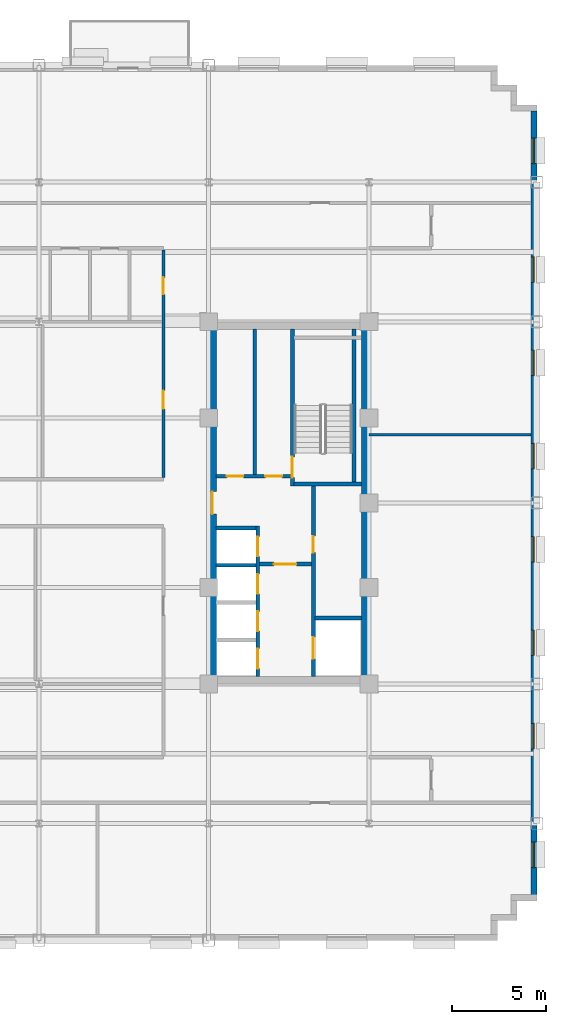
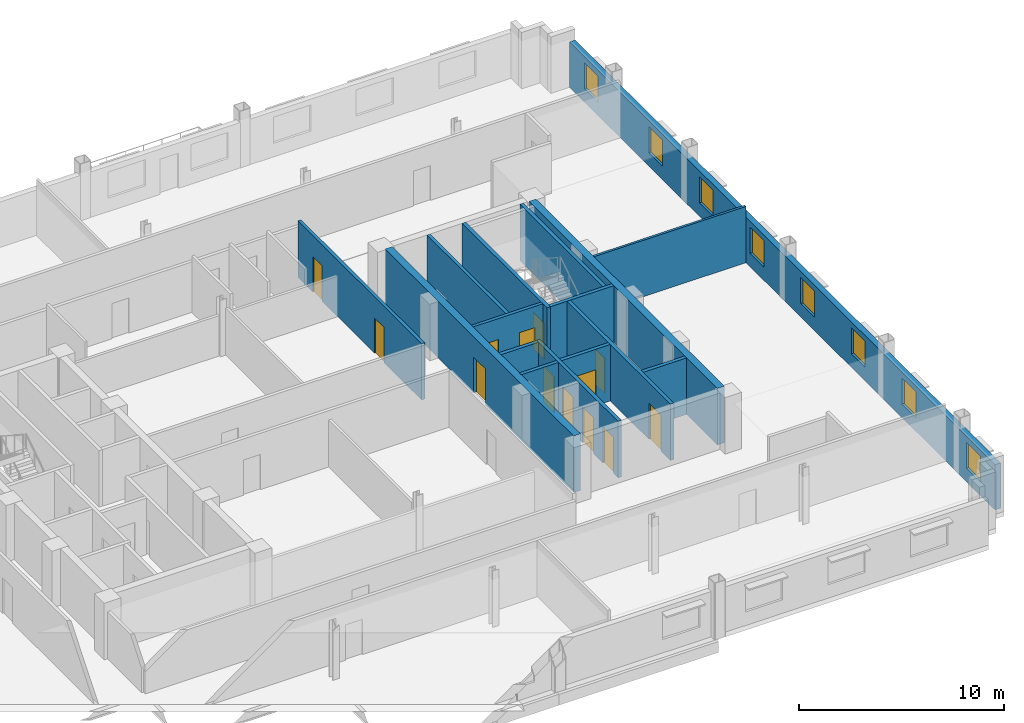
# One storey, part 8 of 14: 16 walls, 13 doors, 8 windows, 21 openings.
"""IFC4 building model written with IfcOpenShell, lengths in metres."""

from ifc_helpers import new_model, si_unit, direction, frame, frame_2d, origin, place, context, subcontext, project, spatial, rectangle, extrude, source, transform, mapped, material, layer, layer_set, type_object, type_shapes, element, fill, save


model = new_model("IFC4")

# Units and contexts
model_context = context("Model", 3, precision=1e-05, world=origin(), true_north=direction((0.0, 1.0)))
body_context = subcontext(model_context, "Body", "Model", "MODEL_VIEW")
ifc_project = project(units=[si_unit("LENGTHUNIT", "METRE"), si_unit("AREAUNIT", "SQUARE_METRE"), si_unit("VOLUMEUNIT", "CUBIC_METRE"), si_unit("PLANEANGLEUNIT", "RADIAN"), si_unit("MASSUNIT", "GRAM", prefix="KILO")], contexts=[model_context])

# Site, building, storey
site_placement = place(None, origin())
site = spatial("IfcSite", under=ifc_project, at=site_placement, CompositionType="ELEMENT")
building_placement = place(site_placement, origin())
building = spatial("IfcBuilding", under=site, at=building_placement, Name="Nuvemarco Arch Tower", CompositionType="ELEMENT")
storey_placement = place(building_placement, frame((0.0, 0.0, 145.75)))
storey = spatial("IfcBuildingStorey", under=building, at=storey_placement, Name="L38", CompositionType="ELEMENT", Elevation=145.75)

# Wall, openings, windows
ifc_material_1 = material(Name="Precast concrete C45/55", Category="concrete")
ifc_layer_1 = layer(ifc_material_1, 0.320068359375, Name="EW-MID-320")
ifc_layer_set_1 = layer_set([ifc_layer_1], Name="Precast concrete C45/55")
wall_type_1 = type_object("IfcWallType", Name="EW-MID-320", PredefinedType="STANDARD", material=ifc_layer_set_1)
wall_1_placement = place(storey_placement, frame((26.239990234375, -20.783935546875, 0.0), z_axis=(0.0, 0.0, 1.0), x_axis=(0.0, 1.0, 0.0)))
wall_1 = element("IfcWall", 1, at=wall_1_placement, inside=storey, type_object=wall_type_1, Name="L38 exterior precast facade wall 6", PredefinedType="STANDARD", context=body_context, shape_type="SweptSolid", body=[
    extrude(rectangle(XDim=41.56787109375, YDim=0.320068359375, at=frame_2d((20.783935546875, 0.0))), origin(), (0.0, 0.0, 1.0), 2.705078125),
])
opening_1_placement = place(wall_1_placement, frame((1.447998046875, 0.0, 0.800048828125)))
opening_1 = element("IfcOpeningElement", 2, at=opening_1_placement, cuts=wall_1, Name="Opening WN-6", PredefinedType="OPENING", context=body_context, shape_type="SweptSolid", body=[
    extrude(rectangle(XDim=1.35009765625, YDim=1.56005859375, at=frame_2d((0.675048828125, 0.780029296875))), frame((0.0, 0.169921875, 0.0), z_axis=(0.0, -1.0, 0.0), x_axis=(1.0, 0.0, 0.0)), (0.0, 0.0, 1.0), 0.340087890625),
])
opening_2_placement = place(wall_1_placement, frame((7.743896484375, 0.0, 0.800048828125)))
opening_2 = element("IfcOpeningElement", 3, at=opening_2_placement, cuts=wall_1, Name="Opening WN-6", PredefinedType="OPENING", context=body_context, shape_type="SweptSolid", body=[
    extrude(rectangle(XDim=1.35009765625, YDim=1.56005859375, at=frame_2d((0.675048828125, 0.780029296875))), frame((0.0, 0.169921875, 0.0), z_axis=(0.0, -1.0, 0.0), x_axis=(1.0, 0.0, 0.0)), (0.0, 0.0, 1.0), 0.340087890625),
])
opening_3_placement = place(wall_1_placement, frame((12.68994140625, 0.0, 0.800048828125)))
opening_3 = element("IfcOpeningElement", 4, at=opening_3_placement, cuts=wall_1, Name="Opening WN-6", PredefinedType="OPENING", context=body_context, shape_type="SweptSolid", body=[
    extrude(rectangle(XDim=1.35009765625, YDim=1.56005859375, at=frame_2d((0.675048828125, 0.780029296875))), frame((0.0, 0.169921875, 0.0), z_axis=(0.0, -1.0, 0.0), x_axis=(1.0, 0.0, 0.0)), (0.0, 0.0, 1.0), 0.340087890625),
])
opening_4_placement = place(wall_1_placement, frame((17.635986328125, 0.0, 0.800048828125)))
opening_4 = element("IfcOpeningElement", 5, at=opening_4_placement, cuts=wall_1, Name="Opening WN-6", PredefinedType="OPENING", context=body_context, shape_type="SweptSolid", body=[
    extrude(rectangle(XDim=1.35009765625, YDim=1.56005859375, at=frame_2d((0.675048828125, 0.780029296875))), frame((0.0, 0.169921875, 0.0), z_axis=(0.0, -1.0, 0.0), x_axis=(1.0, 0.0, 0.0)), (0.0, 0.0, 1.0), 0.340087890625),
])
opening_5_placement = place(wall_1_placement, frame((22.58203125, 0.0, 0.800048828125)))
opening_5 = element("IfcOpeningElement", 6, at=opening_5_placement, cuts=wall_1, Name="Opening WN-6", PredefinedType="OPENING", context=body_context, shape_type="SweptSolid", body=[
    extrude(rectangle(XDim=1.35009765625, YDim=1.56005859375, at=frame_2d((0.675048828125, 0.780029296875))), frame((0.0, 0.169921875, 0.0), z_axis=(0.0, -1.0, 0.0), x_axis=(1.0, 0.0, 0.0)), (0.0, 0.0, 1.0), 0.340087890625),
])
opening_6_placement = place(wall_1_placement, frame((27.528076171875, 0.0, 0.800048828125)))
opening_6 = element("IfcOpeningElement", 7, at=opening_6_placement, cuts=wall_1, Name="Opening WN-6", PredefinedType="OPENING", context=body_context, shape_type="SweptSolid", body=[
    extrude(rectangle(XDim=1.35009765625, YDim=1.56005859375, at=frame_2d((0.675048828125, 0.780029296875))), frame((0.0, 0.169921875, 0.0), z_axis=(0.0, -1.0, 0.0), x_axis=(1.0, 0.0, 0.0)), (0.0, 0.0, 1.0), 0.340087890625),
])
opening_7_placement = place(wall_1_placement, frame((32.47412109375, 0.0, 0.800048828125)))
opening_7 = element("IfcOpeningElement", 8, at=opening_7_placement, cuts=wall_1, Name="Opening WN-6", PredefinedType="OPENING", context=body_context, shape_type="SweptSolid", body=[
    extrude(rectangle(XDim=1.35009765625, YDim=1.56005859375, at=frame_2d((0.675048828125, 0.780029296875))), frame((0.0, 0.169921875, 0.0), z_axis=(0.0, -1.0, 0.0), x_axis=(1.0, 0.0, 0.0)), (0.0, 0.0, 1.0), 0.340087890625),
])
opening_8_placement = place(wall_1_placement, frame((38.77001953125, 0.0, 0.800048828125)))
opening_8 = element("IfcOpeningElement", 9, at=opening_8_placement, cuts=wall_1, Name="Opening WN-6", PredefinedType="OPENING", context=body_context, shape_type="SweptSolid", body=[
    extrude(rectangle(XDim=1.35009765625, YDim=1.56005859375, at=frame_2d((0.675048828125, 0.780029296875))), frame((0.0, 0.169921875, 0.0), z_axis=(0.0, -1.0, 0.0), x_axis=(1.0, 0.0, 0.0)), (0.0, 0.0, 1.0), 0.340087890625),
])
ifc_material_2 = material(Name="Insulated solar-control glass", Category="glass")
window_type = type_object("IfcWindowType", Name="WN-MID-1350x1560", PartitioningType="SINGLE_PANEL", PredefinedType="WINDOW", material=ifc_material_2)
shared_shape_1 = source(origin(), body_context, "Body", "SweptSolid", [
    extrude(rectangle(XDim=1.35009765625, YDim=1.56005859375, at=frame_2d((0.675048828125, 0.780029296875))), frame((0.0, 0.030029296875, 0.0), z_axis=(0.0, -1.0, 0.0), x_axis=(1.0, 0.0, 0.0)), (0.0, 0.0, 1.0), 0.06005859375),
])
type_shapes(window_type, [shared_shape_1])
window_1_placement = place(opening_1_placement, origin())
window_1 = element("IfcWindow", 10, at=window_1_placement, inside=storey, type_object=window_type, Name="L38 punched facade window 1", OverallHeight=1.56005859375, OverallWidth=1.35009765625, PartitioningType="SINGLE_PANEL", PredefinedType="WINDOW", context=body_context, shape_type="MappedRepresentation", body=[
    mapped(shared_shape_1, transform((0.0, 0.0, 0.0), scale=1.0)),
])
fill(opening_1, window_1)
window_2_placement = place(opening_2_placement, origin())
window_2 = element("IfcWindow", 11, at=window_2_placement, inside=storey, type_object=window_type, Name="L38 punched facade window 2", OverallHeight=1.56005859375, OverallWidth=1.35009765625, PartitioningType="SINGLE_PANEL", PredefinedType="WINDOW", context=body_context, shape_type="MappedRepresentation", body=[
    mapped(shared_shape_1, transform((0.0, 0.0, 0.0), scale=1.0)),
])
fill(opening_2, window_2)
window_3_placement = place(opening_3_placement, origin())
window_3 = element("IfcWindow", 12, at=window_3_placement, inside=storey, type_object=window_type, Name="L38 punched facade window 3", OverallHeight=1.56005859375, OverallWidth=1.35009765625, PartitioningType="SINGLE_PANEL", PredefinedType="WINDOW", context=body_context, shape_type="MappedRepresentation", body=[
    mapped(shared_shape_1, transform((0.0, 0.0, 0.0), scale=1.0)),
])
fill(opening_3, window_3)
window_4_placement = place(opening_4_placement, origin())
window_4 = element("IfcWindow", 13, at=window_4_placement, inside=storey, type_object=window_type, Name="L38 punched facade window 4", OverallHeight=1.56005859375, OverallWidth=1.35009765625, PartitioningType="SINGLE_PANEL", PredefinedType="WINDOW", context=body_context, shape_type="MappedRepresentation", body=[
    mapped(shared_shape_1, transform((0.0, 0.0, 0.0), scale=1.0)),
])
fill(opening_4, window_4)
window_5_placement = place(opening_5_placement, origin())
window_5 = element("IfcWindow", 14, at=window_5_placement, inside=storey, type_object=window_type, Name="L38 punched facade window 5", OverallHeight=1.56005859375, OverallWidth=1.35009765625, PartitioningType="SINGLE_PANEL", PredefinedType="WINDOW", context=body_context, shape_type="MappedRepresentation", body=[
    mapped(shared_shape_1, transform((0.0, 0.0, 0.0), scale=1.0)),
])
fill(opening_5, window_5)
window_6_placement = place(opening_6_placement, origin())
window_6 = element("IfcWindow", 15, at=window_6_placement, inside=storey, type_object=window_type, Name="L38 punched facade window 6", OverallHeight=1.56005859375, OverallWidth=1.35009765625, PartitioningType="SINGLE_PANEL", PredefinedType="WINDOW", context=body_context, shape_type="MappedRepresentation", body=[
    mapped(shared_shape_1, transform((0.0, 0.0, 0.0), scale=1.0)),
])
fill(opening_6, window_6)
window_7_placement = place(opening_7_placement, origin())
window_7 = element("IfcWindow", 16, at=window_7_placement, inside=storey, type_object=window_type, Name="L38 punched facade window 7", OverallHeight=1.56005859375, OverallWidth=1.35009765625, PartitioningType="SINGLE_PANEL", PredefinedType="WINDOW", context=body_context, shape_type="MappedRepresentation", body=[
    mapped(shared_shape_1, transform((0.0, 0.0, 0.0), scale=1.0)),
])
fill(opening_7, window_7)
window_8_placement = place(opening_8_placement, origin())
window_8 = element("IfcWindow", 17, at=window_8_placement, inside=storey, type_object=window_type, Name="L38 punched facade window 8", OverallHeight=1.56005859375, OverallWidth=1.35009765625, PartitioningType="SINGLE_PANEL", PredefinedType="WINDOW", context=body_context, shape_type="MappedRepresentation", body=[
    mapped(shared_shape_1, transform((0.0, 0.0, 0.0), scale=1.0)),
])
fill(opening_8, window_8)

# Wall, opening, door
ifc_material_3 = material(Name="Concrete C60/75", Category="concrete")
ifc_layer_2 = layer(ifc_material_3, 0.39990234375, Name="WL-CORE-400")
ifc_layer_set_2 = layer_set([ifc_layer_2], Name="Concrete C60/75")
wall_type_2 = type_object("IfcWallType", Name="WL-CORE-400", PredefinedType="SHEAR", material=ifc_layer_set_2)
wall_2_placement = place(storey_placement, frame((9.199951171875, -9.205078125, 0.0), z_axis=(0.0, 0.0, 1.0), x_axis=(0.0, 1.0, 0.0)))
wall_2 = element("IfcWall", 18, at=wall_2_placement, inside=storey, type_object=wall_type_2, Name="L38 E-core shear wall W", PredefinedType="SHEAR", context=body_context, shape_type="SweptSolid", body=[
    extrude(rectangle(XDim=18.41015625, YDim=0.39990234375, at=frame_2d((9.205078125, 0.0))), origin(), (0.0, 0.0, 1.0), 3.3701171875),
])
opening_9_placement = place(wall_2_placement, frame((8.60498046875, 0.0, 0.0)))
opening_9 = element("IfcOpeningElement", 19, at=opening_9_placement, cuts=wall_2, Name="Opening FD-2", PredefinedType="OPENING", context=body_context, shape_type="SweptSolid", body=[
    extrude(rectangle(XDim=1.199951171875, YDim=2.14990234375, at=frame_2d((0.60009765625, 1.074951171875))), frame((0.0, 0.2099609375, 0.0), z_axis=(0.0, -1.0, 0.0), x_axis=(1.0, 0.0, 0.0)), (0.0, 0.0, 1.0), 0.419921875),
])
ifc_material_4 = material(Name="Anodised steel fire door", Category="steel")
door_type_1 = type_object("IfcDoorType", Name="DR-FFLOB-FD", OperationType="NOTDEFINED", PredefinedType="DOOR", material=ifc_material_4)
shared_shape_2 = source(origin(), body_context, "Body", "SweptSolid", [
    extrude(rectangle(XDim=1.199951171875, YDim=2.14990234375, at=frame_2d((0.60009765625, 1.074951171875))), frame((0.0, 0.02490234375, 0.0), z_axis=(0.0, -1.0, 0.0), x_axis=(1.0, 0.0, 0.0)), (0.0, 0.0, 1.0), 0.050048828125),
])
type_shapes(door_type_1, [shared_shape_2])
door_1_placement = place(opening_9_placement, origin())
door_1 = element("IfcDoor", 20, at=door_1_placement, inside=storey, type_object=door_type_1, Name="L38 door FD-L38-ECORE-W", OperationType="SINGLE_SWING_RIGHT", OverallHeight=2.14990234375, OverallWidth=1.199951171875, PredefinedType="DOOR", context=body_context, shape_type="MappedRepresentation", body=[
    mapped(shared_shape_2, transform((0.0, 0.0, 0.0), scale=1.0)),
])
fill(opening_9, door_1)

# Wall
wall_3_placement = place(storey_placement, frame((17.300048828125, -9.205078125, 0.0), z_axis=(0.0, 0.0, 1.0), x_axis=(0.0, 1.0, 0.0)))
element("IfcWall", 21, at=wall_3_placement, inside=storey, type_object=wall_type_2, Name="L38 E-core shear wall E", PredefinedType="SHEAR", context=body_context, shape_type="SweptSolid", body=[
    extrude(rectangle(XDim=18.41015625, YDim=0.39990234375, at=frame_2d((9.205078125, 0.0))), origin(), (0.0, 0.0, 1.0), 3.3701171875),
])

# Wall, openings, doors
ifc_material_5 = material(Name="Fire-rated gypsum drywall partition")
ifc_layer_3 = layer(ifc_material_5, 0.179931640625, Name="WL-CORR-180")
ifc_layer_set_3 = layer_set([ifc_layer_3], Name="Fire-rated gypsum drywall partition")
wall_type_3 = type_object("IfcWallType", Name="WL-CORR-180", PredefinedType="PARTITIONING", material=ifc_layer_set_3)
wall_4_placement = place(storey_placement, frame((9.39501953125, 1.39990234375, 0.0), z_axis=(0.0, 0.0, 1.0), x_axis=(1.0, 0.0, 0.0)))
wall_4 = element("IfcWall", 22, at=wall_4_placement, inside=storey, type_object=wall_type_3, Name="L38 interior wall IW-L38-EK-S", PredefinedType="PARTITIONING", context=body_context, shape_type="SweptSolid", body=[
    extrude(rectangle(XDim=3.949951171875, YDim=0.179931640625, at=frame_2d((1.97509765625, 0.0))), origin(), (0.0, 0.0, 1.0), 3.360107421875),
])
opening_10_placement = place(wall_4_placement, frame((0.56494140625, 0.0, 0.0)))
opening_10 = element("IfcOpeningElement", 23, at=opening_10_placement, cuts=wall_4, Name="Opening FD-4", PredefinedType="OPENING", context=body_context, shape_type="SweptSolid", body=[
    extrude(rectangle(XDim=0.8798828125, YDim=2.10009765625, at=frame_2d((0.43994140625, 1.050048828125))), frame((0.0, 0.099853515625, 0.0), z_axis=(0.0, -1.0, 0.0), x_axis=(1.0, 0.0, 0.0)), (0.0, 0.0, 1.0), 0.199951171875),
])
opening_11_placement = place(wall_4_placement, frame((2.614990234375, 0.0, 0.0)))
opening_11 = element("IfcOpeningElement", 24, at=opening_11_placement, cuts=wall_4, Name="Opening FD-4", PredefinedType="OPENING", context=body_context, shape_type="SweptSolid", body=[
    extrude(rectangle(XDim=0.8798828125, YDim=2.10009765625, at=frame_2d((0.43994140625, 1.050048828125))), frame((0.0, 0.099853515625, 0.0), z_axis=(0.0, -1.0, 0.0), x_axis=(1.0, 0.0, 0.0)), (0.0, 0.0, 1.0), 0.199951171875),
])
door_type_2 = type_object("IfcDoorType", Name="DR-RISER-FD", OperationType="NOTDEFINED", PredefinedType="DOOR", material=ifc_material_4)
shared_shape_3 = source(origin(), body_context, "Body", "SweptSolid", [
    extrude(rectangle(XDim=0.8798828125, YDim=2.10009765625, at=frame_2d((0.43994140625, 1.050048828125))), frame((0.0, 0.02490234375, 0.0), z_axis=(0.0, -1.0, 0.0), x_axis=(1.0, 0.0, 0.0)), (0.0, 0.0, 1.0), 0.050048828125),
])
type_shapes(door_type_2, [shared_shape_3])
door_2_placement = place(opening_10_placement, origin())
door_2 = element("IfcDoor", 25, at=door_2_placement, inside=storey, type_object=door_type_2, Name="L38 door FD-L38-EK2A", OperationType="SINGLE_SWING_LEFT", OverallHeight=2.10009765625, OverallWidth=0.8798828125, PredefinedType="DOOR", context=body_context, shape_type="MappedRepresentation", body=[
    mapped(shared_shape_3, transform((0.0, 0.0, 0.0), scale=1.0)),
])
fill(opening_10, door_2)
door_3_placement = place(opening_11_placement, origin())
door_3 = element("IfcDoor", 26, at=door_3_placement, inside=storey, type_object=door_type_2, Name="L38 door FD-L38-EK2B", OperationType="SINGLE_SWING_RIGHT", OverallHeight=2.10009765625, OverallWidth=0.8798828125, PredefinedType="DOOR", context=body_context, shape_type="MappedRepresentation", body=[
    mapped(shared_shape_3, transform((0.0, 0.0, 0.0), scale=1.0)),
])
fill(opening_11, door_3)

# Wall
wall_5_placement = place(storey_placement, frame((11.449951171875, 1.489990234375, 0.0), z_axis=(0.0, 0.0, 1.0), x_axis=(0.0, 1.0, 0.0)))
element("IfcWall", 27, at=wall_5_placement, inside=storey, type_object=wall_type_3, Name="L38 interior wall IW-L38-EK2", PredefinedType="PARTITIONING", context=body_context, shape_type="SweptSolid", body=[
    extrude(rectangle(XDim=7.715087890625, YDim=0.179931640625, at=frame_2d((3.857421875, 0.0))), origin(), (0.0, 0.0, 1.0), 3.360107421875),
])

# Wall, openings, doors
wall_6_placement = place(storey_placement, frame((6.60009765625, 1.3359375, 0.0), z_axis=(0.0, 0.0, 1.0), x_axis=(0.0, 1.0, 0.0)))
wall_6 = element("IfcWall", 28, at=wall_6_placement, inside=storey, type_object=wall_type_3, Name="L38 interior wall IW-L38-028", PredefinedType="PARTITIONING", context=body_context, shape_type="SweptSolid", body=[
    extrude(rectangle(XDim=12.078125, YDim=0.179931640625, at=frame_2d((6.0390625, 0.0))), origin(), (0.0, 0.0, 1.0), 3.360107421875),
])
opening_12_placement = place(wall_6_placement, frame((3.652099609375, 0.0, 0.0)))
opening_12 = element("IfcOpeningElement", 29, at=opening_12_placement, cuts=wall_6, Name="Opening FD-5", PredefinedType="OPENING", context=body_context, shape_type="SweptSolid", body=[
    extrude(rectangle(XDim=0.9599609375, YDim=2.10009765625, at=frame_2d((0.47998046875, 1.050048828125))), frame((0.0, 0.099853515625, 0.0), z_axis=(0.0, -1.0, 0.0), x_axis=(1.0, 0.0, 0.0)), (0.0, 0.0, 1.0), 0.199951171875),
])
opening_13_placement = place(wall_6_placement, frame((9.720947265625, 0.0, 0.0)))
opening_13 = element("IfcOpeningElement", 30, at=opening_13_placement, cuts=wall_6, Name="Opening ID-3", PredefinedType="OPENING", context=body_context, shape_type="SweptSolid", body=[
    extrude(rectangle(XDim=0.89990234375, YDim=2.10009765625, at=frame_2d((0.449951171875, 1.050048828125))), frame((0.0, 0.099853515625, 0.0), z_axis=(0.0, -1.0, 0.0), x_axis=(1.0, 0.0, 0.0)), (0.0, 0.0, 1.0), 0.199951171875),
])
ifc_material_6 = material(Name="Timber fire door", Category="wood")
door_type_3 = type_object("IfcDoorType", Name="DR-CORR-FD", OperationType="NOTDEFINED", PredefinedType="DOOR", material=ifc_material_6)
shared_shape_4 = source(origin(), body_context, "Body", "SweptSolid", [
    extrude(rectangle(XDim=0.9599609375, YDim=2.10009765625, at=frame_2d((0.47998046875, 1.050048828125))), frame((0.0, 0.02490234375, 0.0), z_axis=(0.0, -1.0, 0.0), x_axis=(1.0, 0.0, 0.0)), (0.0, 0.0, 1.0), 0.050048828125),
])
type_shapes(door_type_3, [shared_shape_4])
door_4_placement = place(opening_12_placement, origin())
door_4 = element("IfcDoor", 31, at=door_4_placement, inside=storey, type_object=door_type_3, Name="L38 door DR-L38-C_NE", OperationType="SINGLE_SWING_LEFT", OverallHeight=2.10009765625, OverallWidth=0.9599609375, PredefinedType="DOOR", context=body_context, shape_type="MappedRepresentation", body=[
    mapped(shared_shape_4, transform((0.0, 0.0, 0.0), scale=1.0)),
])
fill(opening_12, door_4)
ifc_material_7 = material(Name="Veneered oak timber fire door", Category="wood")
door_type_4 = type_object("IfcDoorType", Name="DR-WC-ACC", OperationType="NOTDEFINED", PredefinedType="DOOR", material=ifc_material_7)
shared_shape_5 = source(origin(), body_context, "Body", "SweptSolid", [
    extrude(rectangle(XDim=0.89990234375, YDim=2.10009765625, at=frame_2d((0.449951171875, 1.050048828125))), frame((0.0, 0.02490234375, 0.0), z_axis=(0.0, -1.0, 0.0), x_axis=(1.0, 0.0, 0.0)), (0.0, 0.0, 1.0), 0.050048828125),
])
type_shapes(door_type_4, [shared_shape_5])
door_5_placement = place(opening_13_placement, origin())
door_5 = element("IfcDoor", 32, at=door_5_placement, inside=storey, type_object=door_type_4, Name="L38 door DR-L38-WC_ACC", OperationType="SINGLE_SWING_RIGHT", OverallHeight=2.10009765625, OverallWidth=0.89990234375, PredefinedType="DOOR", context=body_context, shape_type="MappedRepresentation", body=[
    mapped(shared_shape_5, transform((0.0, 0.0, 0.0), scale=1.0)),
])
fill(opening_13, door_5)

# Wall
ifc_material_8 = material(Name="Glazed acoustic office partition")
ifc_layer_4 = layer(ifc_material_8, 0.1298828125, Name="WL-EXEC-130")
ifc_layer_set_4 = layer_set([ifc_layer_4], Name="Glazed acoustic office partition")
wall_type_4 = type_object("IfcWallType", Name="WL-EXEC-130", PredefinedType="PARTITIONING", material=ifc_layer_set_4)
wall_7_placement = place(storey_placement, frame((17.5, 3.60009765625, 0.0), z_axis=(0.0, 0.0, 1.0), x_axis=(1.0, 0.0, 0.0)))
element("IfcWall", 33, at=wall_7_placement, inside=storey, type_object=wall_type_4, Name="L38 interior wall IW-L38-008", PredefinedType="PARTITIONING", context=body_context, shape_type="SweptSolid", body=[
    extrude(rectangle(XDim=8.580078125, YDim=0.1298828125, at=frame_2d((4.2900390625, 0.0))), origin(), (0.0, 0.0, 1.0), 3.360107421875),
])

# Wall, opening, door
ifc_material_9 = material(Name="Concrete C50/60", Category="concrete")
ifc_layer_5 = layer(ifc_material_9, 0.199951171875, Name="WL-SHAFT-220")
ifc_layer_set_5 = layer_set([ifc_layer_5], Name="Concrete C50/60")
wall_type_5 = type_object("IfcWallType", Name="WL-SHAFT-220", PredefinedType="SHEAR", material=ifc_layer_set_5)
wall_8_placement = place(storey_placement, frame((13.43994140625, 0.89990234375, 0.0), z_axis=(0.0, 0.0, 1.0), x_axis=(0.0, 1.0, 0.0)))
wall_8 = element("IfcWall", 34, at=wall_8_placement, inside=storey, type_object=wall_type_5, Name="L38 structural shaft wall SW-L38-E-ST2W", PredefinedType="SHEAR", context=body_context, shape_type="SweptSolid", body=[
    extrude(rectangle(XDim=8.30517578125, YDim=0.199951171875, at=frame_2d((4.152587890625, 0.0))), origin(), (0.0, 0.0, 1.0), 3.3701171875),
])
opening_14_placement = place(wall_8_placement, frame((0.429931640625, 0.0, 0.0)))
opening_14 = element("IfcOpeningElement", 35, at=opening_14_placement, cuts=wall_8, Name="Opening FD-1", PredefinedType="OPENING", context=body_context, shape_type="SweptSolid", body=[
    extrude(rectangle(XDim=1.10009765625, YDim=2.14990234375, at=frame_2d((0.550048828125, 1.074951171875))), frame((0.0, 0.10986328125, 0.0), z_axis=(0.0, -1.0, 0.0), x_axis=(1.0, 0.0, 0.0)), (0.0, 0.0, 1.0), 0.219970703125),
])
door_type_5 = type_object("IfcDoorType", Name="DR-STAIR-FD", OperationType="NOTDEFINED", PredefinedType="DOOR", material=ifc_material_4)
shared_shape_6 = source(origin(), body_context, "Body", "SweptSolid", [
    extrude(rectangle(XDim=1.10009765625, YDim=2.14990234375, at=frame_2d((0.550048828125, 1.074951171875))), frame((0.0, 0.02490234375, 0.0), z_axis=(0.0, -1.0, 0.0), x_axis=(1.0, 0.0, 0.0)), (0.0, 0.0, 1.0), 0.050048828125),
])
type_shapes(door_type_5, [shared_shape_6])
door_6_placement = place(opening_14_placement, origin())
door_6 = element("IfcDoor", 36, at=door_6_placement, inside=storey, type_object=door_type_5, Name="L38 door FD-L38-ST2", OperationType="SINGLE_SWING_LEFT", OverallHeight=2.14990234375, OverallWidth=1.10009765625, PredefinedType="DOOR", context=body_context, shape_type="MappedRepresentation", body=[
    mapped(shared_shape_6, transform((0.0, 0.0, 0.0), scale=1.0)),
])
fill(opening_14, door_6)

# Walls
wall_9_placement = place(storey_placement, frame((13.534912109375, 1.0, 0.0), z_axis=(0.0, 0.0, 1.0), x_axis=(1.0, 0.0, 0.0)))
element("IfcWall", 37, at=wall_9_placement, inside=storey, type_object=wall_type_5, Name="L38 structural shaft wall SW-L38-E-ST2S", PredefinedType="SHEAR", context=body_context, shape_type="SweptSolid", body=[
    extrude(rectangle(XDim=3.570068359375, YDim=0.199951171875, at=frame_2d((1.78515625, 0.0))), origin(), (0.0, 0.0, 1.0), 3.3701171875),
])
wall_10_placement = place(storey_placement, frame((16.699951171875, 1.094970703125, 0.0), z_axis=(0.0, 0.0, 1.0), x_axis=(0.0, 1.0, 0.0)))
element("IfcWall", 38, at=wall_10_placement, inside=storey, type_object=wall_type_5, Name="L38 structural shaft wall SW-L38-E-ST2E", PredefinedType="SHEAR", context=body_context, shape_type="SweptSolid", body=[
    extrude(rectangle(XDim=8.110107421875, YDim=0.199951171875, at=frame_2d((4.05517578125, 0.0))), origin(), (0.0, 0.0, 1.0), 3.3701171875),
])

# Wall, openings, doors
wall_11_placement = place(storey_placement, frame((14.550048828125, -9.205078125, 0.0), z_axis=(0.0, 0.0, 1.0), x_axis=(0.0, 1.0, 0.0)))
wall_11 = element("IfcWall", 39, at=wall_11_placement, inside=storey, type_object=wall_type_5, Name="L38 structural shaft wall SW-L38-E-SHW", PredefinedType="SHEAR", context=body_context, shape_type="SweptSolid", body=[
    extrude(rectangle(XDim=10.110107421875, YDim=0.199951171875, at=frame_2d((5.05517578125, 0.0))), origin(), (0.0, 0.0, 1.0), 3.3701171875),
])
opening_15_placement = place(wall_11_placement, frame((6.56494140625, 0.0, 0.0)))
opening_15 = element("IfcOpeningElement", 40, at=opening_15_placement, cuts=wall_11, Name="Opening FD-4", PredefinedType="OPENING", context=body_context, shape_type="SweptSolid", body=[
    extrude(rectangle(XDim=0.8798828125, YDim=2.10009765625, at=frame_2d((0.43994140625, 1.050048828125))), frame((0.0, 0.10986328125, 0.0), z_axis=(0.0, -1.0, 0.0), x_axis=(1.0, 0.0, 0.0)), (0.0, 0.0, 1.0), 0.219970703125),
])
opening_16_placement = place(wall_11_placement, frame((0.929931640625, 0.0, 0.0)))
opening_16 = element("IfcOpeningElement", 41, at=opening_16_placement, cuts=wall_11, Name="Opening LD-2", PredefinedType="OPENING", context=body_context, shape_type="SweptSolid", body=[
    extrude(rectangle(XDim=1.14990234375, YDim=2.14990234375, at=frame_2d((0.574951171875, 1.074951171875))), frame((0.0, 0.10986328125, 0.0), z_axis=(0.0, -1.0, 0.0), x_axis=(1.0, 0.0, 0.0)), (0.0, 0.0, 1.0), 0.219970703125),
])
door_7_placement = place(opening_15_placement, origin())
door_7 = element("IfcDoor", 42, at=door_7_placement, inside=storey, type_object=door_type_2, Name="L38 door FD-L38-ERIS", OperationType="SINGLE_SWING_LEFT", OverallHeight=2.10009765625, OverallWidth=0.8798828125, PredefinedType="DOOR", context=body_context, shape_type="MappedRepresentation", body=[
    mapped(shared_shape_3, transform((0.0, 0.0, 0.0), scale=1.0)),
])
fill(opening_15, door_7)
ifc_material_10 = material(Name="Stainless steel lift door", Category="steel")
door_type_6 = type_object("IfcDoorType", Name="DR-LIFT-FIRE", OperationType="DOUBLE_DOOR_SLIDING", PredefinedType="DOOR", material=ifc_material_10)
shared_shape_7 = source(origin(), body_context, "Body", "SweptSolid", [
    extrude(rectangle(XDim=1.14990234375, YDim=2.14990234375, at=frame_2d((0.574951171875, 1.074951171875))), frame((0.0, 0.02490234375, 0.0), z_axis=(0.0, -1.0, 0.0), x_axis=(1.0, 0.0, 0.0)), (0.0, 0.0, 1.0), 0.050048828125),
])
type_shapes(door_type_6, [shared_shape_7])
door_8_placement = place(opening_16_placement, origin())
door_8 = element("IfcDoor", 43, at=door_8_placement, inside=storey, type_object=door_type_6, Name="L38 Lift landing sliding door FFL-2", OperationType="DOUBLE_DOOR_SLIDING", OverallHeight=2.14990234375, OverallWidth=1.14990234375, PredefinedType="DOOR", context=body_context, shape_type="MappedRepresentation", body=[
    mapped(shared_shape_7, transform((0.0, 0.0, 0.0), scale=1.0)),
])
fill(opening_16, door_8)

# Wall
wall_12_placement = place(storey_placement, frame((14.64501953125, -6.10009765625, 0.0), z_axis=(0.0, 0.0, 1.0), x_axis=(1.0, 0.0, 0.0)))
element("IfcWall", 44, at=wall_12_placement, inside=storey, type_object=wall_type_5, Name="L38 structural shaft wall SW-L38-E-SH1", PredefinedType="SHEAR", context=body_context, shape_type="SweptSolid", body=[
    extrude(rectangle(XDim=2.4599609375, YDim=0.199951171875, at=frame_2d((1.22998046875, 0.0))), origin(), (0.0, 0.0, 1.0), 3.3701171875),
])

# Wall, openings, doors
wall_13_placement = place(storey_placement, frame((11.60009765625, -9.205078125, 0.0), z_axis=(0.0, 0.0, 1.0), x_axis=(0.0, 1.0, 0.0)))
wall_13 = element("IfcWall", 45, at=wall_13_placement, inside=storey, type_object=wall_type_5, Name="L38 structural shaft wall SW-L38-E-PME", PredefinedType="SHEAR", context=body_context, shape_type="SweptSolid", body=[
    extrude(rectangle(XDim=7.97509765625, YDim=0.199951171875, at=frame_2d((3.987548828125, 0.0))), origin(), (0.0, 0.0, 1.0), 3.3701171875),
])
opening_17_placement = place(wall_13_placement, frame((0.419921875, 0.0, 0.0)))
opening_17 = element("IfcOpeningElement", 46, at=opening_17_placement, cuts=wall_13, Name="Opening LD-1", PredefinedType="OPENING", context=body_context, shape_type="SweptSolid", body=[
    extrude(rectangle(XDim=1.050048828125, YDim=2.14990234375, at=frame_2d((0.52490234375, 1.074951171875))), frame((0.0, 0.10986328125, 0.0), z_axis=(0.0, -1.0, 0.0), x_axis=(1.0, 0.0, 0.0)), (0.0, 0.0, 1.0), 0.219970703125),
])
opening_18_placement = place(wall_13_placement, frame((2.39990234375, 0.0, 0.0)))
opening_18 = element("IfcOpeningElement", 47, at=opening_18_placement, cuts=wall_13, Name="Opening LD-1", PredefinedType="OPENING", context=body_context, shape_type="SweptSolid", body=[
    extrude(rectangle(XDim=1.050048828125, YDim=2.14990234375, at=frame_2d((0.52490234375, 1.074951171875))), frame((0.0, 0.10986328125, 0.0), z_axis=(0.0, -1.0, 0.0), x_axis=(1.0, 0.0, 0.0)), (0.0, 0.0, 1.0), 0.219970703125),
])
opening_19_placement = place(wall_13_placement, frame((4.3798828125, 0.0, 0.0)))
opening_19 = element("IfcOpeningElement", 48, at=opening_19_placement, cuts=wall_13, Name="Opening LD-1", PredefinedType="OPENING", context=body_context, shape_type="SweptSolid", body=[
    extrude(rectangle(XDim=1.050048828125, YDim=2.14990234375, at=frame_2d((0.52490234375, 1.074951171875))), frame((0.0, 0.10986328125, 0.0), z_axis=(0.0, -1.0, 0.0), x_axis=(1.0, 0.0, 0.0)), (0.0, 0.0, 1.0), 0.219970703125),
])
opening_20_placement = place(wall_13_placement, frame((6.360107421875, 0.0, 0.0)))
opening_20 = element("IfcOpeningElement", 49, at=opening_20_placement, cuts=wall_13, Name="Opening LD-1", PredefinedType="OPENING", context=body_context, shape_type="SweptSolid", body=[
    extrude(rectangle(XDim=1.050048828125, YDim=2.14990234375, at=frame_2d((0.52490234375, 1.074951171875))), frame((0.0, 0.10986328125, 0.0), z_axis=(0.0, -1.0, 0.0), x_axis=(1.0, 0.0, 0.0)), (0.0, 0.0, 1.0), 0.219970703125),
])
door_type_7 = type_object("IfcDoorType", Name="DR-LIFT-PASS", OperationType="DOUBLE_DOOR_SLIDING", PredefinedType="DOOR", material=ifc_material_10)
shared_shape_8 = source(origin(), body_context, "Body", "SweptSolid", [
    extrude(rectangle(XDim=1.050048828125, YDim=2.14990234375, at=frame_2d((0.52490234375, 1.074951171875))), frame((0.0, 0.02490234375, 0.0), z_axis=(0.0, -1.0, 0.0), x_axis=(1.0, 0.0, 0.0)), (0.0, 0.0, 1.0), 0.050048828125),
])
type_shapes(door_type_7, [shared_shape_8])
door_9_placement = place(opening_17_placement, origin())
door_9 = element("IfcDoor", 50, at=door_9_placement, inside=storey, type_object=door_type_7, Name="L38 Lift landing sliding door PM-1", OperationType="DOUBLE_DOOR_SLIDING", OverallHeight=2.14990234375, OverallWidth=1.050048828125, PredefinedType="DOOR", context=body_context, shape_type="MappedRepresentation", body=[
    mapped(shared_shape_8, transform((0.0, 0.0, 0.0), scale=1.0)),
])
fill(opening_17, door_9)
door_10_placement = place(opening_18_placement, origin())
door_10 = element("IfcDoor", 51, at=door_10_placement, inside=storey, type_object=door_type_7, Name="L38 Lift landing sliding door PM-2", OperationType="DOUBLE_DOOR_SLIDING", OverallHeight=2.14990234375, OverallWidth=1.050048828125, PredefinedType="DOOR", context=body_context, shape_type="MappedRepresentation", body=[
    mapped(shared_shape_8, transform((0.0, 0.0, 0.0), scale=1.0)),
])
fill(opening_18, door_10)
door_11_placement = place(opening_19_placement, origin())
door_11 = element("IfcDoor", 52, at=door_11_placement, inside=storey, type_object=door_type_7, Name="L38 Lift landing sliding door PM-3", OperationType="DOUBLE_DOOR_SLIDING", OverallHeight=2.14990234375, OverallWidth=1.050048828125, PredefinedType="DOOR", context=body_context, shape_type="MappedRepresentation", body=[
    mapped(shared_shape_8, transform((0.0, 0.0, 0.0), scale=1.0)),
])
fill(opening_19, door_11)
door_12_placement = place(opening_20_placement, origin())
door_12 = element("IfcDoor", 53, at=door_12_placement, inside=storey, type_object=door_type_7, Name="L38 Lift landing sliding door PM-4", OperationType="DOUBLE_DOOR_SLIDING", OverallHeight=2.14990234375, OverallWidth=1.050048828125, PredefinedType="DOOR", context=body_context, shape_type="MappedRepresentation", body=[
    mapped(shared_shape_8, transform((0.0, 0.0, 0.0), scale=1.0)),
])
fill(opening_20, door_12)

# Wall, opening, door
wall_14_placement = place(storey_placement, frame((11.695068359375, -3.25, 0.0), z_axis=(0.0, 0.0, 1.0), x_axis=(1.0, 0.0, 0.0)))
wall_14 = element("IfcWall", 54, at=wall_14_placement, inside=storey, type_object=wall_type_5, Name="L38 structural shaft wall SW-L38-E-FFN", PredefinedType="SHEAR", context=body_context, shape_type="SweptSolid", body=[
    extrude(rectangle(XDim=2.760009765625, YDim=0.199951171875, at=frame_2d((1.3798828125, 0.0))), origin(), (0.0, 0.0, 1.0), 3.3701171875),
])
opening_21_placement = place(wall_14_placement, frame((0.7548828125, 0.0, 0.0)))
opening_21 = element("IfcOpeningElement", 55, at=opening_21_placement, cuts=wall_14, Name="Opening FD-2", PredefinedType="OPENING", context=body_context, shape_type="SweptSolid", body=[
    extrude(rectangle(XDim=1.199951171875, YDim=2.14990234375, at=frame_2d((0.60009765625, 1.074951171875))), frame((0.0, 0.10986328125, 0.0), z_axis=(0.0, -1.0, 0.0), x_axis=(1.0, 0.0, 0.0)), (0.0, 0.0, 1.0), 0.219970703125),
])
door_13_placement = place(opening_21_placement, origin())
door_13 = element("IfcDoor", 56, at=door_13_placement, inside=storey, type_object=door_type_1, Name="L38 door FD-L38-EFF2", OperationType="SINGLE_SWING_LEFT", OverallHeight=2.14990234375, OverallWidth=1.199951171875, PredefinedType="DOOR", context=body_context, shape_type="MappedRepresentation", body=[
    mapped(shared_shape_2, transform((0.0, 0.0, 0.0), scale=1.0)),
])
fill(opening_21, door_13)

# Walls
for number, where, z_axis, x_axis, name in (
    (57, (9.39501953125, -3.31005859375, 0.0), (0.0, 0.0, 1.0), (1.0, 0.0, 0.0), "L38 structural shaft wall SW-L38-E-PMD3"),
    (58, (9.39501953125, -1.330078125, 0.0), (0.0, 0.0, 1.0), (1.0, 0.0, 0.0), "L38 structural shaft wall SW-L38-E-PMD4"),
):
    element("IfcWall", number, at=place(storey_placement, frame(where, z_axis=z_axis, x_axis=x_axis)), inside=storey, type_object=wall_type_5, Name=name, PredefinedType="SHEAR", context=body_context, shape_type="SweptSolid", body=[
        extrude(rectangle(XDim=2.10986328125, YDim=0.199951171875, at=frame_2d((1.054931640625, 0.0))), origin(), (0.0, 0.0, 1.0), 3.3701171875),
    ])

save(model, "model.ifc")
